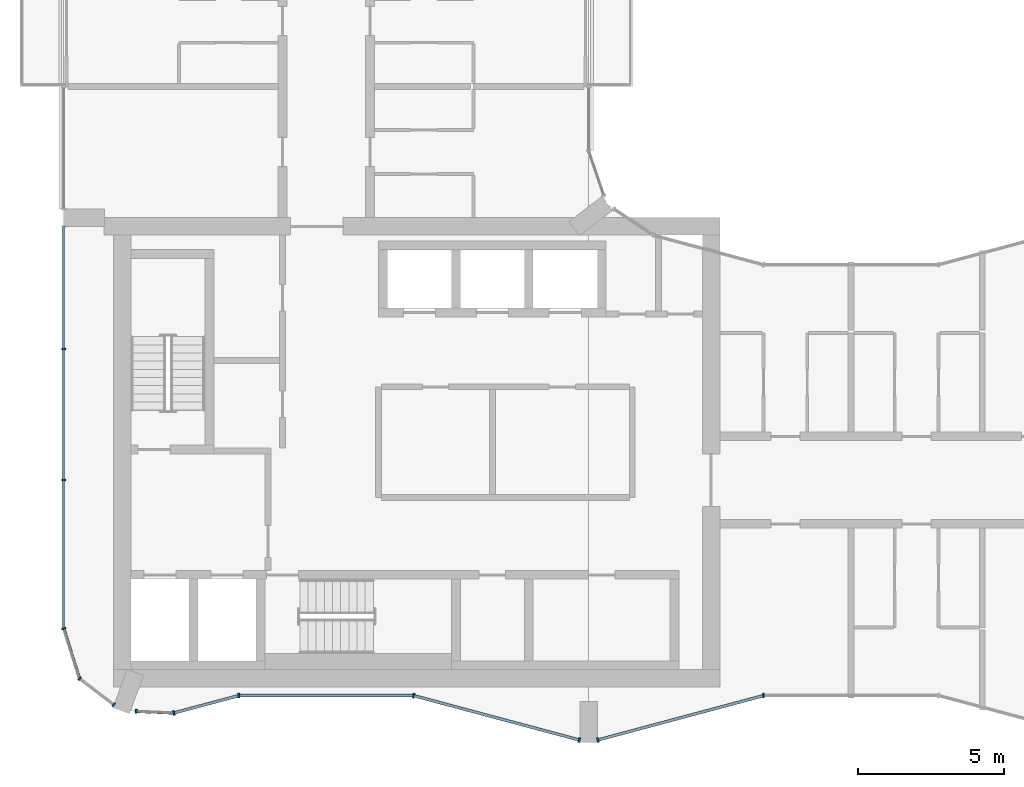
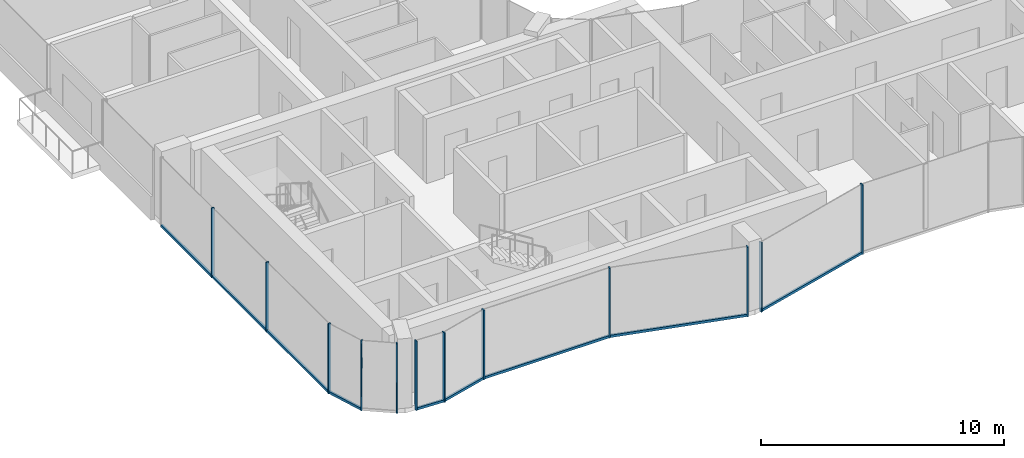
# One storey, part 2 of 16: 19 members, 9 elements without a shape of their own.
"""IFC4 building model written with IfcOpenShell, lengths in metres."""

import ifcopenshell
import ifcopenshell.guid

model = None  # the IFC model being written
_history = None  # IfcOwnerHistory: only IFC2X3 demands one
_inside = {}  # id of a spatial element -> (the spatial element, [elements in it])
_under = {}  # id of a project, library or spatial element -> (it, [spatial elements below it])
_declared = {}  # id of a project -> (the project, [libraries it declares])
_typed = {}  # id of a type object -> (the type object, [elements of that type])
_made_of = {}  # id of a material, layer set ... -> (it, [elements and type objects made of it])


def new_model(schema):
    """Start an empty IFC model of exactly this schema.

    Asked for "IFC4X3", IfcOpenShell would pick the latest addendum, in which some entities
    have other attributes; the version numbers below select the first issue.
    IFC2X3 requires an IfcOwnerHistory on every rooted entity: one is made here for all.
    """
    global model, _history
    if schema == "IFC4X3":
        model = ifcopenshell.file(schema_version=(4, 3, 0, 0))
    else:
        model = ifcopenshell.file(schema=schema)
    _inside.clear()
    _under.clear()
    _declared.clear()
    _typed.clear()
    _made_of.clear()
    _history = None
    if model.schema == "IFC2X3":
        org = make("IfcOrganization", Name="unknown")
        user = make(
            "IfcPersonAndOrganization",
            ThePerson=make("IfcPerson", FamilyName="unknown"),
            TheOrganization=org,
        )
        app = make(
            "IfcApplication",
            ApplicationDeveloper=org,
            Version="unknown",
            ApplicationFullName="unknown",
            ApplicationIdentifier="unknown",
        )
        _history = make(
            "IfcOwnerHistory",
            OwningUser=user,
            OwningApplication=app,
            ChangeAction="ADDED",
            CreationDate=0,
        )
    return model


def make(cls, **values):
    """One entity of the class cls with the attributes given. An attribute that is None is left unset."""
    return model.create_entity(
        cls, **{name: value for name, value in values.items() if value is not None}
    )


def rooted(cls, **values):
    """An entity with a GlobalId (a new one), such as an element, a storey or a relation."""
    return make(cls, GlobalId=ifcopenshell.guid.new(), OwnerHistory=_history, **values)


def si_unit(unit_type, name, prefix=None):
    """IfcSIUnit, for example si_unit("LENGTHUNIT", "METRE", prefix="MILLI")."""
    return make("IfcSIUnit", UnitType=unit_type, Prefix=prefix, Name=name)


def assignment(units):
    """IfcUnitAssignment: the units of a project."""
    return None if units is None else make("IfcUnitAssignment", Units=units)


def point(xyz):
    """IfcCartesianPoint."""
    return None if xyz is None else make("IfcCartesianPoint", Coordinates=xyz)


def direction(xyz):
    """IfcDirection."""
    return None if xyz is None else make("IfcDirection", DirectionRatios=xyz)


def frame(location, z_axis=None, x_axis=None):
    """IfcAxis2Placement3D, a coordinate frame: its origin and axes. An axis left out is left unset."""
    return make(
        "IfcAxis2Placement3D",
        Location=point(location),
        Axis=direction(z_axis),
        RefDirection=direction(x_axis),
    )


def frame_2d(location, x_axis=None):
    """IfcAxis2Placement2D, a coordinate frame in the plane: its origin and x axis."""
    return make(
        "IfcAxis2Placement2D", Location=point(location), RefDirection=direction(x_axis)
    )


def origin():
    """The frame at (0, 0, 0) with its axes left unset."""
    return frame((0.0, 0.0, 0.0))


def origin_2d():
    """The frame at (0, 0) in the plane with its x axis left unset."""
    return frame_2d((0.0, 0.0))


def place(relative_to, where):
    """IfcLocalPlacement: puts the frame where relative to a parent placement (None: the world)."""
    return make(
        "IfcLocalPlacement", PlacementRelTo=relative_to, RelativePlacement=where
    )


def context(
    kind, dimensions, precision=None, world=None, true_north=None, identifier=None
):
    """IfcGeometricRepresentationContext, for example the 3D "Model" context."""
    return make(
        "IfcGeometricRepresentationContext",
        ContextIdentifier=identifier,
        ContextType=kind,
        CoordinateSpaceDimension=dimensions,
        Precision=precision,
        WorldCoordinateSystem=world,
        TrueNorth=true_north,
    )


def subcontext(parent, identifier, kind, view, scale=None):
    """IfcGeometricRepresentationSubContext, for example "Body" below "Model"."""
    return make(
        "IfcGeometricRepresentationSubContext",
        ContextIdentifier=identifier,
        ContextType=kind,
        ParentContext=parent,
        TargetScale=scale,
        TargetView=view,
    )


def project(units=None, contexts=None):
    """IfcProject with its units and contexts."""
    return rooted(
        "IfcProject",
        Name="project",
        RepresentationContexts=contexts,
        UnitsInContext=assignment(units),
    )


def spatial(cls, under=None, at=None, **own):
    """A site, building, storey or space (cls), placed at a placement, below another one or the project."""
    s = rooted(cls, ObjectPlacement=at, **own)
    if under is not None:
        _under.setdefault(under.id(), (under, []))[1].append(s)
    return s


def profile(cls, at=None, kind="AREA", **sizes):
    """A parametric profile (cls). Its sizes go by their IFC names, for example OverallWidth=200.0."""
    return make(cls, ProfileType=kind, Position=at, **sizes)


def rectangle(**sizes):
    """IfcRectangleProfileDef."""
    return profile("IfcRectangleProfileDef", **sizes)


def extrude(swept, where, along, depth):
    """IfcExtrudedAreaSolid: the profile swept, set in the frame where, extruded along a direction by depth."""
    return make(
        "IfcExtrudedAreaSolid",
        SweptArea=swept,
        Position=where,
        ExtrudedDirection=direction(along),
        Depth=depth,
    )


def shape(context_of_items, identifier, shape_type, items):
    """IfcShapeRepresentation: the items that make up one representation, for example the "Body"."""
    return make(
        "IfcShapeRepresentation",
        ContextOfItems=context_of_items,
        RepresentationIdentifier=identifier,
        RepresentationType=shape_type,
        Items=items,
    )


def material(Name=None, Category=None):
    """IfcMaterial."""
    return make("IfcMaterial", Name=Name, Category=Category)


def layer(
    of_material, thickness, ventilated=None, Name=None, Category=None, Priority=None
):
    """IfcMaterialLayer: one layer of a wall or slab, of a material (None: an air gap)."""
    return make(
        "IfcMaterialLayer",
        Material=of_material,
        LayerThickness=thickness,
        IsVentilated=ventilated,
        Name=Name,
        Category=Category,
        Priority=Priority,
    )


def layer_set(layers, Name=None):
    """IfcMaterialLayerSet."""
    return make("IfcMaterialLayerSet", MaterialLayers=layers, LayerSetName=Name)


def material_profile(
    of_material, cross_section, Name=None, Category=None, Priority=None
):
    """IfcMaterialProfile: a cross section and its material."""
    return make(
        "IfcMaterialProfile",
        Name=Name,
        Material=of_material,
        Profile=cross_section,
        Priority=Priority,
        Category=Category,
    )


def profile_set(profiles, Name=None, composite=None):
    """IfcMaterialProfileSet."""
    return make(
        "IfcMaterialProfileSet",
        Name=Name,
        MaterialProfiles=profiles,
        CompositeProfile=composite,
    )


def made_of(thing, what):
    """Note that an element or type object is made of a material, layer set ...; save() writes the relation."""
    if what is not None:
        _made_of.setdefault(what.id(), (what, []))[1].append(thing)
    return thing


def type_object(cls, material=None, **own):
    """A type object (cls), such as IfcWallType, which elements share."""
    return made_of(rooted(cls, **own), material)


def element(
    cls,
    number,
    at=None,
    inside=None,
    cuts=None,
    type_object=None,
    material=None,
    context=None,
    identifier="Body",
    shape_type=None,
    held_by="IfcProductDefinitionShape",
    body=None,
    shapes=None,
    **own,
):
    """One element of the class cls, such as IfcWall. Its Tag is "e" and its number.

    at: its placement. inside: the storey or other place that contains it. cuts: it is an
    opening in that element (IfcRelVoidsElement). A single representation is given by context,
    identifier, shape_type and body (its items); several are given by shapes. held_by: the class
    of the entity that holds the representations. save() writes the other relations.
    """
    e = rooted(cls, Tag="e%d" % number, ObjectPlacement=at, **own)
    if body is not None:
        shapes = [shape(context, identifier, shape_type, body)]
    if shapes is not None:
        e.Representation = make(held_by, Representations=shapes)
    if inside is not None:
        _inside.setdefault(inside.id(), (inside, []))[1].append(e)
    if cuts is not None:
        rooted(
            "IfcRelVoidsElement", RelatingBuildingElement=cuts, RelatedOpeningElement=e
        )
    if type_object is not None:
        _typed.setdefault(type_object.id(), (type_object, []))[1].append(e)
    return made_of(e, material)


def aggregate(whole, parts):
    """IfcRelAggregates: a whole, such as a stair, and the parts it consists of."""
    return rooted("IfcRelAggregates", RelatingObject=whole, RelatedObjects=parts)


def save(model, path):
    """Write the relations noted so far, then the file.

    IfcRelAggregates (storeys below a building ...), IfcRelContainedInSpatialStructure (elements
    in a storey), IfcRelDefinesByType, IfcRelAssociatesMaterial and IfcRelDeclares: one each for
    every whole, place, type object, material and project.
    """
    for whole, parts in _under.values():
        aggregate(whole, parts)
    for where, things in _inside.values():
        rooted(
            "IfcRelContainedInSpatialStructure",
            RelatedElements=things,
            RelatingStructure=where,
        )
    for kind, things in _typed.values():
        rooted("IfcRelDefinesByType", RelatedObjects=things, RelatingType=kind)
    for what, things in _made_of.values():
        rooted("IfcRelAssociatesMaterial", RelatedObjects=things, RelatingMaterial=what)
    for by, libraries in _declared.values():
        rooted("IfcRelDeclares", RelatingContext=by, RelatedDefinitions=libraries)
    model.write(path)


model = new_model("IFC4")

# Units and contexts
model_context = context("Model", 3, precision=1e-05, world=origin(), true_north=direction((0.0, 1.0)))
body_context = subcontext(model_context, "Body", "Model", "MODEL_VIEW")
ifc_project = project(units=[si_unit("LENGTHUNIT", "METRE"), si_unit("AREAUNIT", "SQUARE_METRE"), si_unit("VOLUMEUNIT", "CUBIC_METRE"), si_unit("PLANEANGLEUNIT", "RADIAN"), si_unit("MASSUNIT", "GRAM", prefix="KILO")], contexts=[model_context])

# Site, building, storey
site_placement = place(None, origin())
site = spatial("IfcSite", under=ifc_project, at=site_placement, CompositionType="ELEMENT")
building_placement = place(site_placement, origin())
building = spatial("IfcBuilding", under=site, at=building_placement, Name="Plateau Cross Towers", CompositionType="ELEMENT")
storey_placement = place(building_placement, frame((0.0, 0.0, 167.39990234375)))
storey = spatial("IfcBuildingStorey", under=building, at=storey_placement, Name="L43", CompositionType="ELEMENT", Elevation=167.39990234375)

# Curtain wall, members
ifc_material_1 = material(Name="Dark low-iron glass", Category="glass")
ifc_layer_1 = layer(ifc_material_1, 0.239990234375)
ifc_layer_set_1 = layer_set([ifc_layer_1], Name="Dark low-iron glass")
curtain_wall_type_1 = type_object("IfcCurtainWallType", Name="Curtain wall flush unitised CW-B", PredefinedType="NOTDEFINED", material=ifc_layer_set_1)
curtain_wall_1_placement = place(storey_placement, origin())
curtain_wall_1 = element("IfcCurtainWall", 1, at=curtain_wall_1_placement, inside=storey, type_object=curtain_wall_type_1, Name="ENV/A/L43/A0_177", PredefinedType="NOTDEFINED")
ifc_material_2 = material(Name="Black anodised aluminium", Category="aluminium")
ifc_material_profile_1 = material_profile(ifc_material_2, rectangle(XDim=0.06005859375, YDim=0.139892578125, at=origin_2d()), Name="MULLION 60x140")
ifc_profile_set_1 = profile_set([ifc_material_profile_1], Name="Black anodised aluminium")
member_type_1 = type_object("IfcMemberType", Name="Mullion 60x140 flush unitised", PredefinedType="MULLION", material=ifc_profile_set_1)
member_1_placement = place(storey_placement, frame((0.0, 13.5, -0.25), z_axis=(0.0, 0.0, 1.0), x_axis=(0.0, -1.0, 0.0)))
member_1 = element("IfcMember", 2, at=member_1_placement, type_object=member_type_1, Name="CW-B mullion 2", PredefinedType="MULLION", context=body_context, shape_type="SweptSolid", body=[
    extrude(rectangle(XDim=0.06005859375, YDim=0.139892578125, at=origin_2d()), origin(), (0.0, 0.0, 1.0), 3.5),
])
member_2_placement = place(storey_placement, frame((0.0, 9.0, -0.25), z_axis=(0.0, 0.0, 1.0), x_axis=(0.0, -1.0, 0.0)))
member_2 = element("IfcMember", 3, at=member_2_placement, type_object=member_type_1, Name="CW-B mullion 3", PredefinedType="MULLION", context=body_context, shape_type="SweptSolid", body=[
    extrude(rectangle(XDim=0.06005859375, YDim=0.139892578125, at=origin_2d()), origin(), (0.0, 0.0, 1.0), 3.5),
])

# Curtain wall, member
curtain_wall_2_placement = place(storey_placement, origin())
curtain_wall_2 = element("IfcCurtainWall", 4, at=curtain_wall_2_placement, inside=storey, type_object=curtain_wall_type_1, Name="ENV/A/L43/A0_39", PredefinedType="NOTDEFINED")
member_3_placement = place(storey_placement, frame((0.0, 3.9091796875, -0.25), z_axis=(0.0, 0.0, 1.0), x_axis=(0.300686174994, -0.95372313811, 0.0)))
member_3 = element("IfcMember", 5, at=member_3_placement, type_object=member_type_1, Name="CW-B mullion 1", PredefinedType="MULLION", context=body_context, shape_type="SweptSolid", body=[
    extrude(rectangle(XDim=0.06005859375, YDim=0.139892578125, at=origin_2d()), origin(), (0.0, 0.0, 1.0), 3.5),
])

# Curtain wall, members
curtain_wall_3_placement = place(storey_placement, origin())
curtain_wall_3 = element("IfcCurtainWall", 6, at=curtain_wall_3_placement, inside=storey, type_object=curtain_wall_type_1, Name="ENV/A/L43/A5_22", PredefinedType="NOTDEFINED")
member_4_placement = place(storey_placement, frame((0.54248046875, 2.1884765625, -0.25), z_axis=(0.0, 0.0, 1.0), x_axis=(0.793315514529, -0.608810721331, 0.0)))
member_4 = element("IfcMember", 7, at=member_4_placement, type_object=member_type_1, Name="CW-B mullion 1", PredefinedType="MULLION", context=body_context, shape_type="SweptSolid", body=[
    extrude(rectangle(XDim=0.06005859375, YDim=0.139892578125, at=origin_2d()), origin(), (0.0, 0.0, 1.0), 3.5),
])
member_5_placement = place(storey_placement, frame((1.709716796875, 1.292724609375, -0.25), z_axis=(0.0, 0.0, 1.0), x_axis=(0.793315514529, -0.608810721331, 0.0)))
member_5 = element("IfcMember", 8, at=member_5_placement, type_object=member_type_1, Name="CW-B mullion 2", PredefinedType="MULLION", context=body_context, shape_type="SweptSolid", body=[
    extrude(rectangle(XDim=0.06005859375, YDim=0.139892578125, at=origin_2d()), origin(), (0.0, 0.0, 1.0), 3.5),
])
aggregate(curtain_wall_3, [member_4, member_5])

# Curtain wall, member
curtain_wall_4_placement = place(storey_placement, origin())
curtain_wall_4 = element("IfcCurtainWall", 9, at=curtain_wall_4_placement, inside=storey, type_object=curtain_wall_type_1, Name="ENV/A/L43/A25_11", PredefinedType="NOTDEFINED")
member_6_placement = place(storey_placement, frame((2.483642578125, 1.06787109375, -0.25), z_axis=(0.0, 0.0, 1.0), x_axis=(0.999043701491, -0.043722791671, 0.0)))
member_6 = element("IfcMember", 10, at=member_6_placement, type_object=member_type_1, Name="CW-B mullion 1", PredefinedType="MULLION", context=body_context, shape_type="SweptSolid", body=[
    extrude(rectangle(XDim=0.06005859375, YDim=0.139892578125, at=origin_2d()), origin(), (0.0, 0.0, 1.0), 3.5),
])

ifc_layer_2 = layer(ifc_material_1, 0.260009765625)
ifc_layer_set_2 = layer_set([ifc_layer_2], Name="Dark low-iron glass")
curtain_wall_type_2 = type_object("IfcCurtainWallType", Name="Curtain wall fluted unitised CW-A", PredefinedType="NOTDEFINED", material=ifc_layer_set_2)
curtain_wall_5_placement = place(storey_placement, origin())
curtain_wall_5 = element("IfcCurtainWall", 11, at=curtain_wall_5_placement, inside=storey, type_object=curtain_wall_type_2, Name="ENV/A/L43/A38_10", PredefinedType="NOTDEFINED")
ifc_material_profile_2 = material_profile(ifc_material_2, rectangle(XDim=0.06005859375, YDim=0.159912109375, at=origin_2d()), Name="MULLION 60x160")
ifc_profile_set_2 = profile_set([ifc_material_profile_2], Name="Black anodised aluminium")
member_type_2 = type_object("IfcMemberType", Name="Mullion 60x160 fluted unitised", PredefinedType="MULLION", material=ifc_profile_set_2)
member_7_placement = place(storey_placement, frame((3.776123046875, 1.01123046875, -0.25), z_axis=(0.0, 0.0, 1.0), x_axis=(0.965957962328, 0.258699081978, 0.0)))
member_7 = element("IfcMember", 12, at=member_7_placement, type_object=member_type_2, Name="CW-A mullion 1", PredefinedType="MULLION", context=body_context, shape_type="SweptSolid", body=[
    extrude(rectangle(XDim=0.06005859375, YDim=0.159912109375, at=origin_2d()), origin(), (0.0, 0.0, 1.0), 3.5),
])

curtain_wall_6_placement = place(storey_placement, origin())
curtain_wall_6 = element("IfcCurtainWall", 13, at=curtain_wall_6_placement, inside=storey, type_object=curtain_wall_type_2, Name="ENV/A/L43/A60_16", PredefinedType="NOTDEFINED")
member_8_placement = place(storey_placement, frame((6.0, 1.60693359375, -0.25), z_axis=(0.0, 0.0, 1.0), x_axis=(1.0, 0.0, 0.0)))
member_8 = element("IfcMember", 14, at=member_8_placement, type_object=member_type_2, Name="CW-A mullion 1", PredefinedType="MULLION", context=body_context, shape_type="SweptSolid", body=[
    extrude(rectangle(XDim=0.06005859375, YDim=0.159912109375, at=origin_2d()), origin(), (0.0, 0.0, 1.0), 3.5),
])

# Curtain wall, members
curtain_wall_7_placement = place(storey_placement, origin())
curtain_wall_7 = element("IfcCurtainWall", 15, at=curtain_wall_7_placement, inside=storey, type_object=curtain_wall_type_2, Name="ENV/A/L43/A120_16", PredefinedType="NOTDEFINED")
member_9_placement = place(storey_placement, frame((12.0, 1.60693359375, -0.25), z_axis=(0.0, 0.0, 1.0), x_axis=(0.965957983404, -0.258699003279, 0.0)))
member_9 = element("IfcMember", 16, at=member_9_placement, type_object=member_type_2, Name="CW-A mullion 1", PredefinedType="MULLION", context=body_context, shape_type="SweptSolid", body=[
    extrude(rectangle(XDim=0.06005859375, YDim=0.159912109375, at=origin_2d()), origin(), (0.0, 0.0, 1.0), 3.5),
])
member_10_placement = place(storey_placement, frame((17.68212890625, 0.085205078125, -0.25), z_axis=(0.0, 0.0, 1.0), x_axis=(0.965957983404, -0.258699003279, 0.0)))
member_10 = element("IfcMember", 17, at=member_10_placement, type_object=member_type_2, Name="CW-A mullion 2", PredefinedType="MULLION", context=body_context, shape_type="SweptSolid", body=[
    extrude(rectangle(XDim=0.06005859375, YDim=0.159912109375, at=origin_2d()), origin(), (0.0, 0.0, 1.0), 3.5),
])

# Curtain wall, member
curtain_wall_8_placement = place(storey_placement, origin())
curtain_wall_8 = element("IfcCurtainWall", 18, at=curtain_wall_8_placement, inside=storey, type_object=curtain_wall_type_2, Name="ENV/A/L43/A183_1", PredefinedType="NOTDEFINED")
member_11_placement = place(storey_placement, frame((18.31787109375, 0.085205078125, -0.25), z_axis=(0.0, 0.0, 1.0), x_axis=(0.965957983404, 0.258699003279, 0.0)))
member_11 = element("IfcMember", 19, at=member_11_placement, type_object=member_type_2, Name="CW-A mullion 1", PredefinedType="MULLION", context=body_context, shape_type="SweptSolid", body=[
    extrude(rectangle(XDim=0.06005859375, YDim=0.159912109375, at=origin_2d()), origin(), (0.0, 0.0, 1.0), 3.5),
])

curtain_wall_9_placement = place(storey_placement, origin())
curtain_wall_9 = element("IfcCurtainWall", 20, at=curtain_wall_9_placement, inside=storey, type_object=curtain_wall_type_2, Name="ENV/A/L43/A240_16", PredefinedType="NOTDEFINED")
member_12_placement = place(storey_placement, frame((24.0, 1.60693359375, -0.25), z_axis=(0.0, 0.0, 1.0), x_axis=(1.0, 0.0, 0.0)))
member_12 = element("IfcMember", 21, at=member_12_placement, type_object=member_type_2, Name="CW-A mullion 1", PredefinedType="MULLION", context=body_context, shape_type="SweptSolid", body=[
    extrude(rectangle(XDim=0.06005859375, YDim=0.159912109375, at=origin_2d()), origin(), (0.0, 0.0, 1.0), 3.5),
])
aggregate(curtain_wall_9, [member_12])

# Member
ifc_material_profile_3 = material_profile(ifc_material_2, rectangle(XDim=0.10009765625, YDim=0.1201171875, at=origin_2d()), Name="TRANSOM 100x120")
ifc_profile_set_3 = profile_set([ifc_material_profile_3], Name="Black anodised aluminium")
member_type_3 = type_object("IfcMemberType", Name="Transom 100x120 flush unitised", PredefinedType="USERDEFINED", material=ifc_profile_set_3)
member_13_placement = place(storey_placement, frame((0.0, 17.699951171875, -0.18994140625), z_axis=(0.0, -1.0, 0.0), x_axis=(1.0, 0.0, 0.0)))
member_13 = element("IfcMember", 22, at=member_13_placement, type_object=member_type_3, Name="CW-B transom", ObjectType="TRANSOM", PredefinedType="USERDEFINED", context=body_context, shape_type="SweptSolid", body=[
    extrude(rectangle(XDim=0.10009765625, YDim=0.1201171875, at=origin_2d()), origin(), (0.0, 0.0, 1.0), 13.790771484375),
])

aggregate(curtain_wall_1, [member_1, member_2, member_13])

member_14_placement = place(storey_placement, frame((0.0, 3.9091796875, -0.18994140625), z_axis=(0.30067799945, -0.953725715626, 0.0), x_axis=(0.953725715626, 0.30067799945, 0.0)))
member_14 = element("IfcMember", 23, at=member_14_placement, type_object=member_type_3, Name="CW-B transom", ObjectType="TRANSOM", PredefinedType="USERDEFINED", context=body_context, shape_type="SweptSolid", body=[
    extrude(rectangle(XDim=0.10009765625, YDim=0.1201171875, at=origin_2d()), origin(), (0.0, 0.0, 1.0), 1.80419921875),
])

aggregate(curtain_wall_2, [member_3, member_14])

member_15_placement = place(storey_placement, frame((2.483642578125, 1.06787109375, -0.18994140625), z_axis=(0.999041144614, -0.043781175963, 0.0), x_axis=(0.043781175963, 0.999041144614, 0.0)))
member_15 = element("IfcMember", 24, at=member_15_placement, type_object=member_type_3, Name="CW-B transom", ObjectType="TRANSOM", PredefinedType="USERDEFINED", context=body_context, shape_type="SweptSolid", body=[
    extrude(rectangle(XDim=0.10009765625, YDim=0.1201171875, at=origin_2d()), origin(), (0.0, 0.0, 1.0), 1.293701171875),
])

aggregate(curtain_wall_4, [member_6, member_15])

ifc_material_profile_4 = material_profile(ifc_material_2, rectangle(XDim=0.10009765625, YDim=0.1201171875, at=origin_2d()), Name="TRANSOM 100x120")
ifc_profile_set_4 = profile_set([ifc_material_profile_4], Name="Black anodised aluminium")
member_type_4 = type_object("IfcMemberType", Name="Transom 100x120 fluted unitised", PredefinedType="USERDEFINED", material=ifc_profile_set_4)
member_16_placement = place(storey_placement, frame((3.776123046875, 1.01123046875, -0.18994140625), z_axis=(0.965945685136, 0.258744919501, 0.0), x_axis=(-0.258744919501, 0.965945685136, 0.0)))
member_16 = element("IfcMember", 25, at=member_16_placement, type_object=member_type_4, Name="CW-A transom", ObjectType="TRANSOM", PredefinedType="USERDEFINED", context=body_context, shape_type="SweptSolid", body=[
    extrude(rectangle(XDim=0.10009765625, YDim=0.1201171875, at=origin_2d()), origin(), (0.0, 0.0, 1.0), 2.30224609375),
])

aggregate(curtain_wall_5, [member_7, member_16])

member_17_placement = place(storey_placement, frame((6.0, 1.60693359375, -0.18994140625), z_axis=(1.0, 0.0, 0.0), x_axis=(0.0, 1.0, 0.0)))
member_17 = element("IfcMember", 26, at=member_17_placement, type_object=member_type_4, Name="CW-A transom", ObjectType="TRANSOM", PredefinedType="USERDEFINED", context=body_context, shape_type="SweptSolid", body=[
    extrude(rectangle(XDim=0.10009765625, YDim=0.1201171875, at=origin_2d()), origin(), (0.0, 0.0, 1.0), 6.0),
])

aggregate(curtain_wall_6, [member_8, member_17])

member_18_placement = place(storey_placement, frame((12.0, 1.60693359375, -0.18994140625), z_axis=(0.965959534794, -0.258693210465, 0.0), x_axis=(0.258693210465, 0.965959534794, 0.0)))
member_18 = element("IfcMember", 27, at=member_18_placement, type_object=member_type_4, Name="CW-A transom", ObjectType="TRANSOM", PredefinedType="USERDEFINED", context=body_context, shape_type="SweptSolid", body=[
    extrude(rectangle(XDim=0.10009765625, YDim=0.1201171875, at=origin_2d()), origin(), (0.0, 0.0, 1.0), 5.88232421875),
])

aggregate(curtain_wall_7, [member_9, member_10, member_18])

member_19_placement = place(storey_placement, frame((18.31787109375, 0.085205078125, -0.18994140625), z_axis=(0.965959534794, 0.258693210465, 0.0), x_axis=(-0.258693210465, 0.965959534794, 0.0)))
member_19 = element("IfcMember", 28, at=member_19_placement, type_object=member_type_4, Name="CW-A transom", ObjectType="TRANSOM", PredefinedType="USERDEFINED", context=body_context, shape_type="SweptSolid", body=[
    extrude(rectangle(XDim=0.10009765625, YDim=0.1201171875, at=origin_2d()), origin(), (0.0, 0.0, 1.0), 5.88232421875),
])

aggregate(curtain_wall_8, [member_11, member_19])

save(model, "model.ifc")
